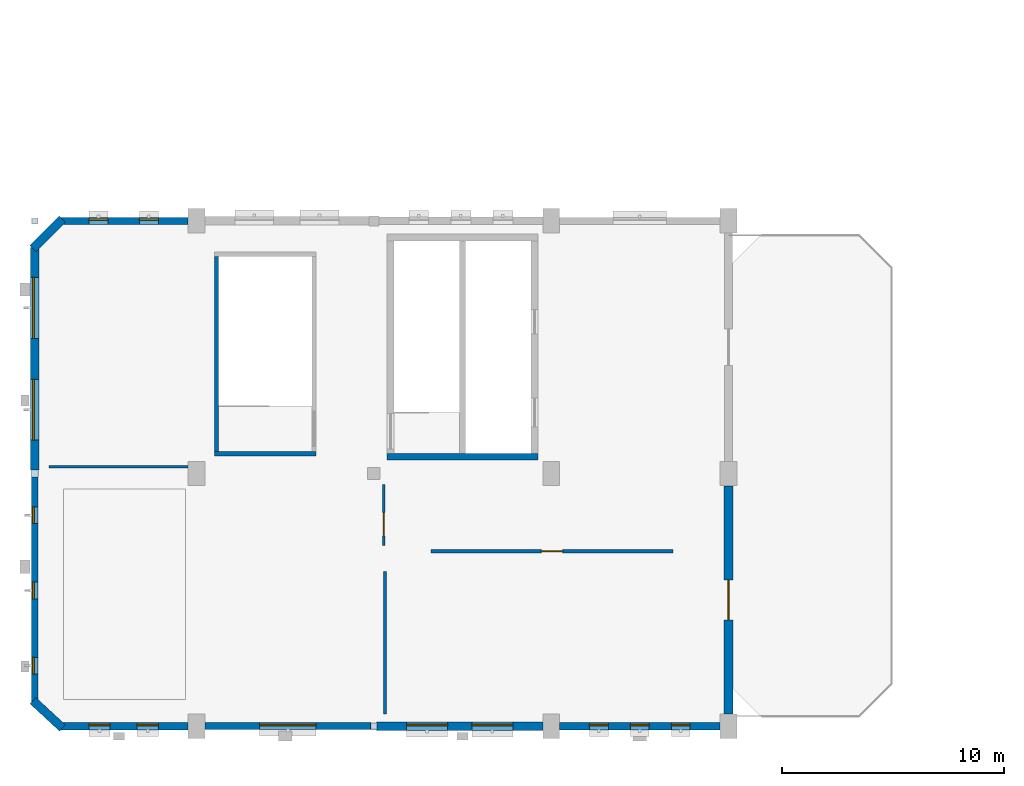
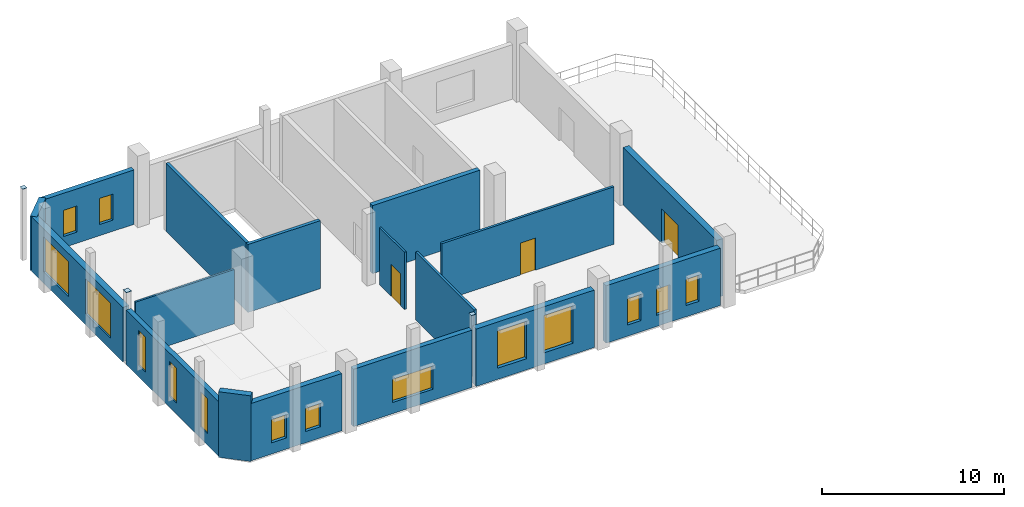
# One storey, part 23 of 28: 17 walls, 15 windows, 3 doors, 3 plates, 18 openings.
"""IFC4 building model written with IfcOpenShell, lengths in metres."""

from ifc_helpers import new_model, si_unit, direction, frame, frame_2d, origin, origin_2d, place, context, subcontext, project, spatial, rectangle, extrude, material, layer, layer_set, type_object, element, fill, save


model = new_model("IFC4")

# Units and contexts
model_context = context("Model", 3, precision=1e-05, world=origin(), true_north=direction((0.0, 1.0)))
body_context = subcontext(model_context, "Body", "Model", "MODEL_VIEW")
ifc_project = project(units=[si_unit("LENGTHUNIT", "METRE"), si_unit("AREAUNIT", "SQUARE_METRE"), si_unit("VOLUMEUNIT", "CUBIC_METRE"), si_unit("PLANEANGLEUNIT", "RADIAN"), si_unit("MASSUNIT", "GRAM", prefix="KILO"), si_unit("POWERUNIT", "WATT"), si_unit("THERMODYNAMICTEMPERATUREUNIT", "KELVIN")], contexts=[model_context])

# Site, building, storey
site_placement = place(None, origin())
site = spatial("IfcSite", under=ifc_project, at=site_placement, CompositionType="ELEMENT")
building_placement = place(site_placement, origin())
building = spatial("IfcBuilding", under=site, at=building_placement, Name="Kelmbourne Parkland Aquatics Centre", CompositionType="ELEMENT")
storey_placement = place(building_placement, frame((0.0, 0.0, 19.199951171875)))
storey = spatial("IfcBuildingStorey", under=building, at=storey_placement, Name="L04", CompositionType="ELEMENT", Elevation=19.199951171875)

# Plates
ifc_material_1 = material(Name="Welded plate steel AS/NZS 3678 Grade 350", Category="steel")
ifc_layer_1 = layer(ifc_material_1, 0.02001953125)
ifc_layer_set_1 = layer_set([ifc_layer_1], Name="Welded plate steel AS/NZS 3678 Grade 350")
plate_type_1 = type_object("IfcPlateType", Name="PL-CAP-20", PredefinedType="USERDEFINED", material=ifc_layer_set_1)
for number, where, z_axis, x_axis, name in (
    (1, (0.699951171875, 23.60009765625, 4.799072265625), (0.0, 0.0, 1.0), (1.0, 0.0, 0.0), "Hollow end cap plate CAP-0002"),
    (2, (16.0, 0.800048828125, 4.799072265625), (0.0, 0.0, 1.0), (1.0, 0.0, 0.0), "Hollow end cap plate CAP-0004"),
):
    element("IfcPlate", number, at=place(storey_placement, frame(where, z_axis=z_axis, x_axis=x_axis)), inside=storey, type_object=plate_type_1, Name=name, ObjectType="END CAP PLATE", PredefinedType="USERDEFINED", context=body_context, shape_type="SweptSolid", body=[
        extrude(rectangle(XDim=0.280029296875, YDim=0.280029296875, at=origin_2d()), origin(), (0.0, 0.0, 1.0), 0.02001953125),
    ])
ifc_layer_2 = layer(ifc_material_1, 0.02392578125)
ifc_layer_set_2 = layer_set([ifc_layer_2], Name="Welded plate steel AS/NZS 3678 Grade 350")
plate_type_2 = type_object("IfcPlateType", Name="PL-CAP-24", PredefinedType="USERDEFINED", material=ifc_layer_set_2)
plate_placement = place(storey_placement, frame((0.699951171875, 12.199951171875, 4.799072265625), z_axis=(0.0, 0.0, 1.0), x_axis=(1.0, 0.0, 0.0)))
element("IfcPlate", 3, at=plate_placement, inside=storey, type_object=plate_type_2, Name="Hollow end cap plate CAP-0001", ObjectType="END CAP PLATE", PredefinedType="USERDEFINED", context=body_context, shape_type="SweptSolid", body=[
    extrude(rectangle(XDim=0.330078125, YDim=0.330078125, at=origin_2d()), origin(), (0.0, 0.0, 1.0), 0.02392578125),
])

# Wall
ifc_material_2 = material(Name="Concrete C40/50", Category="concrete")
ifc_layer_3 = layer(ifc_material_2, 0.300048828125)
ifc_layer_set_3 = layer_set([ifc_layer_3], Name="Concrete C40/50")
wall_type_1 = type_object("IfcWallType", Name="W-CORE-300", PredefinedType="SHEAR", material=ifc_layer_set_3)
wall_1_placement = place(storey_placement, frame((16.60009765625, 12.949951171875, 0.0), z_axis=(0.0, 0.0, 1.0), x_axis=(1.0, 0.0, 0.0)))
element("IfcWall", 4, at=wall_1_placement, inside=storey, type_object=wall_type_1, Name="West Wing South Fire-Fighting Core south wall (L04)", PredefinedType="SHEAR", context=body_context, shape_type="SweptSolid", body=[
    extrude(rectangle(XDim=6.7998046875, YDim=0.300048828125, at=frame_2d((3.39990234375, 0.0))), origin(), (0.0, 0.0, 1.0), 4.56005859375),
])

# Wall, openings, windows
ifc_material_3 = material(Name="Russet clinker clay brickwork", Category="masonry")
ifc_layer_4 = layer(ifc_material_3, 0.31005859375)
ifc_layer_set_4 = layer_set([ifc_layer_4], Name="Russet clinker clay brickwork")
wall_type_2 = type_object("IfcWallType", Name="W-EXT-310", PredefinedType="STANDARD", material=ifc_layer_set_4)
wall_2_placement = place(storey_placement, frame((0.699951171875, 1.800048828125, 0.0), z_axis=(0.0, 0.0, 1.0), x_axis=(0.0, 1.0, 0.0)))
wall_2 = element("IfcWall", 5, at=wall_2_placement, inside=storey, type_object=wall_type_2, Name="Exterior polychrome brick wall EW-L04-137", PredefinedType="STANDARD", context=body_context, shape_type="SweptSolid", body=[
    extrude(rectangle(XDim=10.248046875, YDim=0.31005859375, at=frame_2d((5.1240234375, 0.0))), origin(), (0.0, 0.0, 1.0), 3.64501953125),
])
opening_1_placement = place(wall_2_placement, frame((1.35009765625, 0.0, 0.75)))
opening_1 = element("IfcOpeningElement", 6, at=opening_1_placement, cuts=wall_2, Name="Opening W16", PredefinedType="OPENING", context=body_context, shape_type="SweptSolid", body=[
    extrude(rectangle(XDim=0.75, YDim=2.35009765625, at=frame_2d((0.375, 1.175048828125))), frame((0.0, 0.1669921875, 0.0), z_axis=(0.0, -1.0, 0.0), x_axis=(1.0, 0.0, 0.0)), (0.0, 0.0, 1.0), 0.333984375),
])
opening_2_placement = place(wall_2_placement, frame((4.7490234375, 0.0, 0.75)))
opening_2 = element("IfcOpeningElement", 7, at=opening_2_placement, cuts=wall_2, Name="Opening W16", PredefinedType="OPENING", context=body_context, shape_type="SweptSolid", body=[
    extrude(rectangle(XDim=0.75, YDim=2.35009765625, at=frame_2d((0.375, 1.175048828125))), frame((0.0, 0.1669921875, 0.0), z_axis=(0.0, -1.0, 0.0), x_axis=(1.0, 0.0, 0.0)), (0.0, 0.0, 1.0), 0.333984375),
])
opening_3_placement = place(wall_2_placement, frame((8.14794921875, 0.0, 0.75)))
opening_3 = element("IfcOpeningElement", 8, at=opening_3_placement, cuts=wall_2, Name="Opening W16", PredefinedType="OPENING", context=body_context, shape_type="SweptSolid", body=[
    extrude(rectangle(XDim=0.75, YDim=2.35009765625, at=frame_2d((0.375, 1.175048828125))), frame((0.0, 0.1669921875, 0.0), z_axis=(0.0, -1.0, 0.0), x_axis=(1.0, 0.0, 0.0)), (0.0, 0.0, 1.0), 0.333984375),
])
ifc_material_4 = material(Name="Thermally broken anodised aluminium window with low-e glass", Category="aluminium")
ifc_layer_5 = layer(ifc_material_4, 0.090087890625)
ifc_layer_set_5 = layer_set([ifc_layer_5], Name="Thermally broken anodised aluminium window with low-e glass")
window_type_1 = type_object("IfcWindowType", Name="WN-16", PartitioningType="SINGLE_PANEL", PredefinedType="WINDOW", material=ifc_layer_set_5)
window_1_placement = place(opening_1_placement, origin())
window_1 = element("IfcWindow", 9, at=window_1_placement, inside=storey, type_object=window_type_1, Name="Deep-reveal masonry window W16", OverallHeight=2.35009765625, OverallWidth=0.75, PartitioningType="SINGLE_PANEL", PredefinedType="WINDOW", context=body_context, shape_type="SweptSolid", body=[
    extrude(rectangle(XDim=0.75, YDim=2.35009765625, at=frame_2d((0.375, 1.175048828125))), frame((0.0, 0.080078125, 0.0), z_axis=(0.0, -1.0, 0.0), x_axis=(1.0, 0.0, 0.0)), (0.0, 0.0, 1.0), 0.06005859375),
])
fill(opening_1, window_1)
window_2_placement = place(opening_2_placement, origin())
window_2 = element("IfcWindow", 10, at=window_2_placement, inside=storey, type_object=window_type_1, Name="Deep-reveal masonry window W16", OverallHeight=2.35009765625, OverallWidth=0.75, PartitioningType="SINGLE_PANEL", PredefinedType="WINDOW", context=body_context, shape_type="SweptSolid", body=[
    extrude(rectangle(XDim=0.75, YDim=2.35009765625, at=frame_2d((0.375, 1.175048828125))), frame((0.0, 0.080078125, 0.0), z_axis=(0.0, -1.0, 0.0), x_axis=(1.0, 0.0, 0.0)), (0.0, 0.0, 1.0), 0.06005859375),
])
fill(opening_2, window_2)
window_3_placement = place(opening_3_placement, origin())
window_3 = element("IfcWindow", 11, at=window_3_placement, inside=storey, type_object=window_type_1, Name="Deep-reveal masonry window W16", OverallHeight=2.35009765625, OverallWidth=0.75, PartitioningType="SINGLE_PANEL", PredefinedType="WINDOW", context=body_context, shape_type="SweptSolid", body=[
    extrude(rectangle(XDim=0.75, YDim=2.35009765625, at=frame_2d((0.375, 1.175048828125))), frame((0.0, 0.080078125, 0.0), z_axis=(0.0, -1.0, 0.0), x_axis=(1.0, 0.0, 0.0)), (0.0, 0.0, 1.0), 0.06005859375),
])
fill(opening_3, window_3)

# Wall, opening, window
wall_3_placement = place(storey_placement, frame((8.376953125, 0.800048828125, 0.0), z_axis=(0.0, 0.0, 1.0), x_axis=(1.0, 0.0, 0.0)))
wall_3 = element("IfcWall", 12, at=wall_3_placement, inside=storey, type_object=wall_type_2, Name="Exterior polychrome brick wall EW-L04-140", PredefinedType="STANDARD", context=body_context, shape_type="SweptSolid", body=[
    extrude(rectangle(XDim=7.49609375, YDim=0.31005859375, at=frame_2d((3.748046875, 0.0))), origin(), (0.0, 0.0, 1.0), 3.844970703125),
])
opening_4_placement = place(wall_3_placement, frame((2.472900390625, 0.0, 0.75)))
opening_4 = element("IfcOpeningElement", 13, at=opening_4_placement, cuts=wall_3, Name="Opening W24", PredefinedType="OPENING", context=body_context, shape_type="SweptSolid", body=[
    extrude(rectangle(XDim=2.550048828125, YDim=1.550048828125, at=frame_2d((1.27490234375, 0.77490234375))), frame((0.0, 0.1669921875, 0.0), z_axis=(0.0, -1.0, 0.0), x_axis=(1.0, 0.0, 0.0)), (0.0, 0.0, 1.0), 0.333984375),
])
ifc_layer_6 = layer(ifc_material_4, 0.090087890625)
ifc_layer_set_6 = layer_set([ifc_layer_6], Name="Thermally broken anodised aluminium window with low-e glass")
window_type_2 = type_object("IfcWindowType", Name="WN-24", PartitioningType="TRIPLE_PANEL_VERTICAL", PredefinedType="WINDOW", material=ifc_layer_set_6)
window_4_placement = place(opening_4_placement, origin())
window_4 = element("IfcWindow", 14, at=window_4_placement, inside=storey, type_object=window_type_2, Name="Deep-reveal masonry window W24", OverallHeight=1.550048828125, OverallWidth=2.550048828125, PartitioningType="TRIPLE_PANEL_VERTICAL", PredefinedType="WINDOW", context=body_context, shape_type="SweptSolid", body=[
    extrude(rectangle(XDim=2.550048828125, YDim=1.550048828125, at=frame_2d((1.27490234375, 0.77490234375))), frame((0.0, 0.080078125, 0.0), z_axis=(0.0, -1.0, 0.0), x_axis=(1.0, 0.0, 0.0)), (0.0, 0.0, 1.0), 0.06005859375),
])
fill(opening_4, window_4)

# Wall, openings, windows
wall_4_placement = place(storey_placement, frame((1.800048828125, 23.60009765625, 0.0), z_axis=(0.0, 0.0, 1.0), x_axis=(1.0, 0.0, 0.0)))
wall_4 = element("IfcWall", 15, at=wall_4_placement, inside=storey, type_object=wall_type_2, Name="Exterior polychrome brick wall EW-L04-143", PredefinedType="STANDARD", context=body_context, shape_type="SweptSolid", body=[
    extrude(rectangle(XDim=5.822998046875, YDim=0.31005859375, at=frame_2d((2.91162109375, 0.0))), origin(), (0.0, 0.0, 1.0), 3.64501953125),
])
opening_5_placement = place(wall_4_placement, frame((1.35009765625, 0.0, 0.75)))
opening_5 = element("IfcOpeningElement", 16, at=opening_5_placement, cuts=wall_4, Name="Opening W01", PredefinedType="OPENING", context=body_context, shape_type="SweptSolid", body=[
    extrude(rectangle(XDim=0.85009765625, YDim=1.75, at=frame_2d((0.425048828125, 0.875))), frame((0.0, 0.1669921875, 0.0), z_axis=(0.0, -1.0, 0.0), x_axis=(1.0, 0.0, 0.0)), (0.0, 0.0, 1.0), 0.333984375),
])
opening_6_placement = place(wall_4_placement, frame((3.623046875, 0.0, 0.75)))
opening_6 = element("IfcOpeningElement", 17, at=opening_6_placement, cuts=wall_4, Name="Opening W01", PredefinedType="OPENING", context=body_context, shape_type="SweptSolid", body=[
    extrude(rectangle(XDim=0.85009765625, YDim=1.75, at=frame_2d((0.425048828125, 0.875))), frame((0.0, 0.1669921875, 0.0), z_axis=(0.0, -1.0, 0.0), x_axis=(1.0, 0.0, 0.0)), (0.0, 0.0, 1.0), 0.333984375),
])
ifc_layer_7 = layer(ifc_material_4, 0.090087890625)
ifc_layer_set_7 = layer_set([ifc_layer_7], Name="Thermally broken anodised aluminium window with low-e glass")
window_type_3 = type_object("IfcWindowType", Name="WN-01", PartitioningType="SINGLE_PANEL", PredefinedType="WINDOW", material=ifc_layer_set_7)
window_5_placement = place(opening_5_placement, origin())
window_5 = element("IfcWindow", 18, at=window_5_placement, inside=storey, type_object=window_type_3, Name="Deep-reveal masonry window W01", OverallHeight=1.75, OverallWidth=0.85009765625, PartitioningType="SINGLE_PANEL", PredefinedType="WINDOW", context=body_context, shape_type="SweptSolid", body=[
    extrude(rectangle(XDim=0.85009765625, YDim=1.75, at=frame_2d((0.425048828125, 0.875))), frame((0.0, 0.080078125, 0.0), z_axis=(0.0, -1.0, 0.0), x_axis=(1.0, 0.0, 0.0)), (0.0, 0.0, 1.0), 0.06005859375),
])
fill(opening_5, window_5)
window_6_placement = place(opening_6_placement, origin())
window_6 = element("IfcWindow", 19, at=window_6_placement, inside=storey, type_object=window_type_3, Name="Deep-reveal masonry window W01", OverallHeight=1.75, OverallWidth=0.85009765625, PartitioningType="SINGLE_PANEL", PredefinedType="WINDOW", context=body_context, shape_type="SweptSolid", body=[
    extrude(rectangle(XDim=0.85009765625, YDim=1.75, at=frame_2d((0.425048828125, 0.875))), frame((0.0, 0.080078125, 0.0), z_axis=(0.0, -1.0, 0.0), x_axis=(1.0, 0.0, 0.0)), (0.0, 0.0, 1.0), 0.06005859375),
])
fill(opening_6, window_6)

ifc_material_5 = material(Name="Polychrome glazed brick header coursework", Category="masonry")
ifc_layer_8 = layer(ifc_material_5, 0.35009765625)
ifc_layer_set_8 = layer_set([ifc_layer_8], Name="Polychrome glazed brick header coursework")
wall_type_3 = type_object("IfcWallType", Name="W-EXT-350", PredefinedType="STANDARD", material=ifc_layer_set_8)
wall_5_placement = place(storey_placement, frame((1.800048828125, 0.800048828125, 0.0), z_axis=(0.0, 0.0, 1.0), x_axis=(1.0, 0.0, 0.0)))
wall_5 = element("IfcWall", 20, at=wall_5_placement, inside=storey, type_object=wall_type_3, Name="Exterior polychrome brick wall EW-L04-139", PredefinedType="STANDARD", context=body_context, shape_type="SweptSolid", body=[
    extrude(rectangle(XDim=5.822998046875, YDim=0.35009765625, at=frame_2d((2.91162109375, 0.0))), origin(), (0.0, 0.0, 1.0), 3.844970703125),
])
opening_7_placement = place(wall_5_placement, frame((1.35009765625, 0.0, 0.75)))
opening_7 = element("IfcOpeningElement", 21, at=opening_7_placement, cuts=wall_5, Name="Opening W21", PredefinedType="OPENING", context=body_context, shape_type="SweptSolid", body=[
    extrude(rectangle(XDim=0.949951171875, YDim=1.550048828125, at=frame_2d((0.47509765625, 0.77490234375))), frame((0.0, 0.18701171875, 0.0), z_axis=(0.0, -1.0, 0.0), x_axis=(1.0, 0.0, 0.0)), (0.0, 0.0, 1.0), 0.3740234375),
])
opening_8_placement = place(wall_5_placement, frame((3.52294921875, 0.0, 0.75)))
opening_8 = element("IfcOpeningElement", 22, at=opening_8_placement, cuts=wall_5, Name="Opening W21", PredefinedType="OPENING", context=body_context, shape_type="SweptSolid", body=[
    extrude(rectangle(XDim=0.949951171875, YDim=1.550048828125, at=frame_2d((0.47509765625, 0.77490234375))), frame((0.0, 0.18701171875, 0.0), z_axis=(0.0, -1.0, 0.0), x_axis=(1.0, 0.0, 0.0)), (0.0, 0.0, 1.0), 0.3740234375),
])
ifc_layer_9 = layer(ifc_material_4, 0.090087890625)
ifc_layer_set_9 = layer_set([ifc_layer_9], Name="Thermally broken anodised aluminium window with low-e glass")
window_type_4 = type_object("IfcWindowType", Name="WN-21", PartitioningType="SINGLE_PANEL", PredefinedType="WINDOW", material=ifc_layer_set_9)
window_7_placement = place(opening_7_placement, origin())
window_7 = element("IfcWindow", 23, at=window_7_placement, inside=storey, type_object=window_type_4, Name="Deep-reveal masonry window W21", OverallHeight=1.550048828125, OverallWidth=0.949951171875, PartitioningType="SINGLE_PANEL", PredefinedType="WINDOW", context=body_context, shape_type="SweptSolid", body=[
    extrude(rectangle(XDim=0.949951171875, YDim=1.550048828125, at=frame_2d((0.47509765625, 0.77490234375))), frame((0.0, 0.080078125, 0.0), z_axis=(0.0, -1.0, 0.0), x_axis=(1.0, 0.0, 0.0)), (0.0, 0.0, 1.0), 0.06005859375),
])
fill(opening_7, window_7)
window_8_placement = place(opening_8_placement, origin())
window_8 = element("IfcWindow", 24, at=window_8_placement, inside=storey, type_object=window_type_4, Name="Deep-reveal masonry window W21", OverallHeight=1.550048828125, OverallWidth=0.949951171875, PartitioningType="SINGLE_PANEL", PredefinedType="WINDOW", context=body_context, shape_type="SweptSolid", body=[
    extrude(rectangle(XDim=0.949951171875, YDim=1.550048828125, at=frame_2d((0.47509765625, 0.77490234375))), frame((0.0, 0.080078125, 0.0), z_axis=(0.0, -1.0, 0.0), x_axis=(1.0, 0.0, 0.0)), (0.0, 0.0, 1.0), 0.06005859375),
])
fill(opening_8, window_8)

wall_6_placement = place(storey_placement, frame((24.376953125, 0.800048828125, 0.0), z_axis=(0.0, 0.0, 1.0), x_axis=(1.0, 0.0, 0.0)))
wall_6 = element("IfcWall", 25, at=wall_6_placement, inside=storey, type_object=wall_type_3, Name="Exterior polychrome brick wall EW-L04-142", PredefinedType="STANDARD", context=body_context, shape_type="SweptSolid", body=[
    extrude(rectangle(XDim=7.24609375, YDim=0.35009765625, at=frame_2d((3.623046875, 0.0))), origin(), (0.0, 0.0, 1.0), 3.844970703125),
])
opening_9_placement = place(wall_6_placement, frame((1.35009765625, 0.0, 0.75)))
opening_9 = element("IfcOpeningElement", 26, at=opening_9_placement, cuts=wall_6, Name="Opening W01", PredefinedType="OPENING", context=body_context, shape_type="SweptSolid", body=[
    extrude(rectangle(XDim=0.85009765625, YDim=1.75, at=frame_2d((0.425048828125, 0.875))), frame((0.0, 0.18701171875, 0.0), z_axis=(0.0, -1.0, 0.0), x_axis=(1.0, 0.0, 0.0)), (0.0, 0.0, 1.0), 0.3740234375),
])
opening_10_placement = place(wall_6_placement, frame((3.197998046875, 0.0, 0.75)))
opening_10 = element("IfcOpeningElement", 27, at=opening_10_placement, cuts=wall_6, Name="Opening W01", PredefinedType="OPENING", context=body_context, shape_type="SweptSolid", body=[
    extrude(rectangle(XDim=0.85009765625, YDim=1.75, at=frame_2d((0.425048828125, 0.875))), frame((0.0, 0.18701171875, 0.0), z_axis=(0.0, -1.0, 0.0), x_axis=(1.0, 0.0, 0.0)), (0.0, 0.0, 1.0), 0.3740234375),
])
opening_11_placement = place(wall_6_placement, frame((5.0458984375, 0.0, 0.75)))
opening_11 = element("IfcOpeningElement", 28, at=opening_11_placement, cuts=wall_6, Name="Opening W01", PredefinedType="OPENING", context=body_context, shape_type="SweptSolid", body=[
    extrude(rectangle(XDim=0.85009765625, YDim=1.75, at=frame_2d((0.425048828125, 0.875))), frame((0.0, 0.18701171875, 0.0), z_axis=(0.0, -1.0, 0.0), x_axis=(1.0, 0.0, 0.0)), (0.0, 0.0, 1.0), 0.3740234375),
])
window_9_placement = place(opening_9_placement, origin())
window_9 = element("IfcWindow", 29, at=window_9_placement, inside=storey, type_object=window_type_3, Name="Deep-reveal masonry window W01", OverallHeight=1.75, OverallWidth=0.85009765625, PartitioningType="SINGLE_PANEL", PredefinedType="WINDOW", context=body_context, shape_type="SweptSolid", body=[
    extrude(rectangle(XDim=0.85009765625, YDim=1.75, at=frame_2d((0.425048828125, 0.875))), frame((0.0, 0.080078125, 0.0), z_axis=(0.0, -1.0, 0.0), x_axis=(1.0, 0.0, 0.0)), (0.0, 0.0, 1.0), 0.06005859375),
])
fill(opening_9, window_9)
window_10_placement = place(opening_10_placement, origin())
window_10 = element("IfcWindow", 30, at=window_10_placement, inside=storey, type_object=window_type_3, Name="Deep-reveal masonry window W01", OverallHeight=1.75, OverallWidth=0.85009765625, PartitioningType="SINGLE_PANEL", PredefinedType="WINDOW", context=body_context, shape_type="SweptSolid", body=[
    extrude(rectangle(XDim=0.85009765625, YDim=1.75, at=frame_2d((0.425048828125, 0.875))), frame((0.0, 0.080078125, 0.0), z_axis=(0.0, -1.0, 0.0), x_axis=(1.0, 0.0, 0.0)), (0.0, 0.0, 1.0), 0.06005859375),
])
fill(opening_10, window_10)
window_11_placement = place(opening_11_placement, origin())
window_11 = element("IfcWindow", 31, at=window_11_placement, inside=storey, type_object=window_type_3, Name="Deep-reveal masonry window W01", OverallHeight=1.75, OverallWidth=0.85009765625, PartitioningType="SINGLE_PANEL", PredefinedType="WINDOW", context=body_context, shape_type="SweptSolid", body=[
    extrude(rectangle(XDim=0.85009765625, YDim=1.75, at=frame_2d((0.425048828125, 0.875))), frame((0.0, 0.080078125, 0.0), z_axis=(0.0, -1.0, 0.0), x_axis=(1.0, 0.0, 0.0)), (0.0, 0.0, 1.0), 0.06005859375),
])
fill(opening_11, window_11)

ifc_layer_10 = layer(ifc_material_3, 0.389892578125)
ifc_layer_set_10 = layer_set([ifc_layer_10], Name="Russet clinker clay brickwork")
wall_type_4 = type_object("IfcWallType", Name="W-EXT-390", PredefinedType="STANDARD", material=ifc_layer_set_10)
wall_7_placement = place(storey_placement, frame((0.699951171875, 12.35205078125, 0.0), z_axis=(0.0, 0.0, 1.0), x_axis=(0.0, 1.0, 0.0)))
wall_7 = element("IfcWall", 32, at=wall_7_placement, inside=storey, type_object=wall_type_4, Name="Exterior polychrome brick wall EW-L04-138", PredefinedType="STANDARD", context=body_context, shape_type="SweptSolid", body=[
    extrude(rectangle(XDim=10.0478515625, YDim=0.389892578125, at=frame_2d((5.02392578125, 0.0))), origin(), (0.0, 0.0, 1.0), 3.64501953125),
])
opening_12_placement = place(wall_7_placement, frame((1.35009765625, 0.0, 0.75)))
opening_12 = element("IfcOpeningElement", 33, at=opening_12_placement, cuts=wall_7, Name="Opening W20", PredefinedType="OPENING", context=body_context, shape_type="SweptSolid", body=[
    extrude(rectangle(XDim=2.75, YDim=2.35009765625, at=frame_2d((1.375, 1.175048828125))), frame((0.0, 0.20703125, 0.0), z_axis=(0.0, -1.0, 0.0), x_axis=(1.0, 0.0, 0.0)), (0.0, 0.0, 1.0), 0.413818359375),
])
opening_13_placement = place(wall_7_placement, frame((5.947998046875, 0.0, 0.75)))
opening_13 = element("IfcOpeningElement", 34, at=opening_13_placement, cuts=wall_7, Name="Opening W20", PredefinedType="OPENING", context=body_context, shape_type="SweptSolid", body=[
    extrude(rectangle(XDim=2.75, YDim=2.35009765625, at=frame_2d((1.375, 1.175048828125))), frame((0.0, 0.20703125, 0.0), z_axis=(0.0, -1.0, 0.0), x_axis=(1.0, 0.0, 0.0)), (0.0, 0.0, 1.0), 0.413818359375),
])
ifc_layer_11 = layer(ifc_material_4, 0.090087890625)
ifc_layer_set_11 = layer_set([ifc_layer_11], Name="Thermally broken anodised aluminium window with low-e glass")
window_type_5 = type_object("IfcWindowType", Name="WN-20", PartitioningType="TRIPLE_PANEL_VERTICAL", PredefinedType="WINDOW", material=ifc_layer_set_11)
window_12_placement = place(opening_12_placement, origin())
window_12 = element("IfcWindow", 35, at=window_12_placement, inside=storey, type_object=window_type_5, Name="Deep-reveal masonry window W20", OverallHeight=2.35009765625, OverallWidth=2.75, PartitioningType="TRIPLE_PANEL_VERTICAL", PredefinedType="WINDOW", context=body_context, shape_type="SweptSolid", body=[
    extrude(rectangle(XDim=2.75, YDim=2.35009765625, at=frame_2d((1.375, 1.175048828125))), frame((0.0, 0.080078125, 0.0), z_axis=(0.0, -1.0, 0.0), x_axis=(1.0, 0.0, 0.0)), (0.0, 0.0, 1.0), 0.06005859375),
])
fill(opening_12, window_12)
window_13_placement = place(opening_13_placement, origin())
window_13 = element("IfcWindow", 36, at=window_13_placement, inside=storey, type_object=window_type_5, Name="Deep-reveal masonry window W20", OverallHeight=2.35009765625, OverallWidth=2.75, PartitioningType="TRIPLE_PANEL_VERTICAL", PredefinedType="WINDOW", context=body_context, shape_type="SweptSolid", body=[
    extrude(rectangle(XDim=2.75, YDim=2.35009765625, at=frame_2d((1.375, 1.175048828125))), frame((0.0, 0.080078125, 0.0), z_axis=(0.0, -1.0, 0.0), x_axis=(1.0, 0.0, 0.0)), (0.0, 0.0, 1.0), 0.06005859375),
])
fill(opening_13, window_13)

wall_8_placement = place(storey_placement, frame((16.126953125, 0.800048828125, 0.0), z_axis=(0.0, 0.0, 1.0), x_axis=(1.0, 0.0, 0.0)))
wall_8 = element("IfcWall", 37, at=wall_8_placement, inside=storey, type_object=wall_type_4, Name="Exterior polychrome brick wall EW-L04-141", PredefinedType="STANDARD", context=body_context, shape_type="SweptSolid", body=[
    extrude(rectangle(XDim=7.49609375, YDim=0.389892578125, at=frame_2d((3.748046875, 0.0))), origin(), (0.0, 0.0, 1.0), 3.844970703125),
])
opening_14_placement = place(wall_8_placement, frame((1.35009765625, 0.0, 0.75)))
opening_14 = element("IfcOpeningElement", 38, at=opening_14_placement, cuts=wall_8, Name="Opening W26", PredefinedType="OPENING", context=body_context, shape_type="SweptSolid", body=[
    extrude(rectangle(XDim=1.85009765625, YDim=2.5, at=frame_2d((0.925048828125, 1.25))), frame((0.0, 0.20703125, 0.0), z_axis=(0.0, -1.0, 0.0), x_axis=(1.0, 0.0, 0.0)), (0.0, 0.0, 1.0), 0.413818359375),
])
opening_15_placement = place(wall_8_placement, frame((4.2958984375, 0.0, 0.75)))
opening_15 = element("IfcOpeningElement", 39, at=opening_15_placement, cuts=wall_8, Name="Opening W26", PredefinedType="OPENING", context=body_context, shape_type="SweptSolid", body=[
    extrude(rectangle(XDim=1.85009765625, YDim=2.5, at=frame_2d((0.925048828125, 1.25))), frame((0.0, 0.20703125, 0.0), z_axis=(0.0, -1.0, 0.0), x_axis=(1.0, 0.0, 0.0)), (0.0, 0.0, 1.0), 0.413818359375),
])
ifc_layer_12 = layer(ifc_material_4, 0.090087890625)
ifc_layer_set_12 = layer_set([ifc_layer_12], Name="Thermally broken anodised aluminium window with low-e glass")
window_type_6 = type_object("IfcWindowType", Name="WN-26", PartitioningType="DOUBLE_PANEL_VERTICAL", PredefinedType="WINDOW", material=ifc_layer_set_12)
window_14_placement = place(opening_14_placement, origin())
window_14 = element("IfcWindow", 40, at=window_14_placement, inside=storey, type_object=window_type_6, Name="Deep-reveal masonry window W26", OverallHeight=2.5, OverallWidth=1.85009765625, PartitioningType="DOUBLE_PANEL_VERTICAL", PredefinedType="WINDOW", context=body_context, shape_type="SweptSolid", body=[
    extrude(rectangle(XDim=1.85009765625, YDim=2.5, at=frame_2d((0.925048828125, 1.25))), frame((0.0, 0.080078125, 0.0), z_axis=(0.0, -1.0, 0.0), x_axis=(1.0, 0.0, 0.0)), (0.0, 0.0, 1.0), 0.06005859375),
])
fill(opening_14, window_14)
window_15_placement = place(opening_15_placement, origin())
window_15 = element("IfcWindow", 41, at=window_15_placement, inside=storey, type_object=window_type_6, Name="Deep-reveal masonry window W26", OverallHeight=2.5, OverallWidth=1.85009765625, PartitioningType="DOUBLE_PANEL_VERTICAL", PredefinedType="WINDOW", context=body_context, shape_type="SweptSolid", body=[
    extrude(rectangle(XDim=1.85009765625, YDim=2.5, at=frame_2d((0.925048828125, 1.25))), frame((0.0, 0.080078125, 0.0), z_axis=(0.0, -1.0, 0.0), x_axis=(1.0, 0.0, 0.0)), (0.0, 0.0, 1.0), 0.06005859375),
])
fill(opening_15, window_15)

# Wall, opening, door
wall_9_placement = place(storey_placement, frame((32.0, 1.35205078125, 0.0), z_axis=(0.0, 0.0, 1.0), x_axis=(0.0, 1.0, 0.0)))
wall_9 = element("IfcWall", 42, at=wall_9_placement, inside=storey, type_object=wall_type_4, Name="Exterior polychrome brick wall EW-L04-147", PredefinedType="STANDARD", context=body_context, shape_type="SweptSolid", body=[
    extrude(rectangle(XDim=10.2958984375, YDim=0.389892578125, at=frame_2d((5.14794921875, 0.0))), origin(), (0.0, 0.0, 1.0), 3.844970703125),
])
opening_16_placement = place(wall_9_placement, frame((4.248046875, 0.0, 0.0)))
opening_16 = element("IfcOpeningElement", 43, at=opening_16_placement, cuts=wall_9, Name="Opening TRD1", PredefinedType="OPENING", context=body_context, shape_type="SweptSolid", body=[
    extrude(rectangle(XDim=1.800048828125, YDim=2.300048828125, at=frame_2d((0.89990234375, 1.14990234375))), frame((0.0, 0.20703125, 0.0), z_axis=(0.0, -1.0, 0.0), x_axis=(1.0, 0.0, 0.0)), (0.0, 0.0, 1.0), 0.413818359375),
])
ifc_material_6 = material(Name="Thermally broken anodised aluminium commercial door", Category="aluminium")
ifc_layer_13 = layer(ifc_material_6, 0.06005859375)
ifc_layer_set_13 = layer_set([ifc_layer_13], Name="Thermally broken anodised aluminium commercial door")
door_type_1 = type_object("IfcDoorType", Name="DR-TER-180", OperationType="NOTDEFINED", PredefinedType="DOOR", material=ifc_layer_set_13)
door_1_placement = place(opening_16_placement, frame((1.800048828125, 0.0, 0.0), z_axis=(0.0, 0.0, 1.0), x_axis=(-1.0, 0.0, 0.0)))
door_1 = element("IfcDoor", 44, at=door_1_placement, inside=storey, type_object=door_type_1, Name="Walkable terrace access door EW-L04-147", OperationType="DOUBLE_DOOR_SINGLE_SWING", OverallHeight=2.300048828125, OverallWidth=1.800048828125, PredefinedType="DOOR", context=body_context, shape_type="SweptSolid", body=[
    extrude(rectangle(XDim=1.800048828125, YDim=2.300048828125, at=frame_2d((0.89990234375, 1.14990234375))), frame((0.0, 0.02490234375, 0.0), z_axis=(0.0, -1.0, 0.0), x_axis=(1.0, 0.0, 0.0)), (0.0, 0.0, 1.0), 0.050048828125),
])
fill(opening_16, door_1)

# Walls
wall_10_placement = place(storey_placement, frame((0.6201171875, 1.949951171875, 0.0), z_axis=(0.0, 0.0, 1.0), x_axis=(0.734131351327, -0.679007480812, 0.0)))
element("IfcWall", 45, at=wall_10_placement, inside=storey, type_object=wall_type_4, Name="Stepped brick corner bevel CHAM-L04-SW", PredefinedType="STANDARD", context=body_context, shape_type="SweptSolid", body=[
    extrude(rectangle(XDim=1.8115234375, YDim=0.389892578125, at=frame_2d((0.90576171875, 0.0))), origin(), (0.0, 0.0, 1.0), 4.400146484375),
])
wall_11_placement = place(storey_placement, frame((0.6201171875, 22.35009765625, 0.0), z_axis=(0.0, 0.0, 1.0), x_axis=(0.707106781187, 0.707106781187, 0.0)))
element("IfcWall", 46, at=wall_11_placement, inside=storey, type_object=wall_type_4, Name="Stepped brick corner bevel CHAM-L04-NW", PredefinedType="STANDARD", context=body_context, shape_type="SweptSolid", body=[
    extrude(rectangle(XDim=1.880615234375, YDim=0.389892578125, at=frame_2d((0.9404296875, 0.0))), origin(), (0.0, 0.0, 1.0), 3.64501953125),
])
ifc_material_7 = material(Name="Concrete blockwork C32/40", Category="masonry")
ifc_layer_14 = layer(ifc_material_7, 0.199951171875)
ifc_layer_set_14 = layer_set([ifc_layer_14], Name="Concrete blockwork C32/40")
wall_type_5 = type_object("IfcWallType", Name="W-FIRE-200", PredefinedType="SOLIDWALL", material=ifc_layer_set_14)
wall_12_placement = place(storey_placement, frame((8.800048828125, 13.10009765625, 0.0), z_axis=(0.0, 0.0, 1.0), x_axis=(1.0, 0.0, 0.0)))
element("IfcWall", 47, at=wall_12_placement, inside=storey, type_object=wall_type_5, Name="West South Perimeter Exit Stair south enclosure (L04)", PredefinedType="SOLIDWALL", context=body_context, shape_type="SweptSolid", body=[
    extrude(rectangle(XDim=4.599853515625, YDim=0.199951171875, at=frame_2d((2.2998046875, 0.0))), origin(), (0.0, 0.0, 1.0), 4.56005859375),
])
wall_13_placement = place(storey_placement, frame((8.89990234375, 13.199951171875, 0.0), z_axis=(0.0, 0.0, 1.0), x_axis=(0.0, 1.0, 0.0)))
element("IfcWall", 48, at=wall_13_placement, inside=storey, type_object=wall_type_5, Name="West South Perimeter Exit Stair west enclosure (L04)", PredefinedType="SOLIDWALL", context=body_context, shape_type="SweptSolid", body=[
    extrude(rectangle(XDim=8.800048828125, YDim=0.199951171875, at=frame_2d((4.39990234375, 0.0))), origin(), (0.0, 0.0, 1.0), 4.56005859375),
])

# Wall, opening, door
ifc_material_8 = material(Name="Moisture-resistant acoustic stud partition", Category="gypsum")
ifc_layer_15 = layer(ifc_material_8, 0.1201171875)
ifc_layer_set_15 = layer_set([ifc_layer_15], Name="Moisture-resistant acoustic stud partition")
wall_type_6 = type_object("IfcWallType", Name="W-PART-120", PredefinedType="PARTITIONING", material=ifc_layer_set_15)
wall_14_placement = place(storey_placement, frame((16.449951171875, 8.949951171875, 0.0), z_axis=(0.0, 0.0, 1.0), x_axis=(0.0, 1.0, 0.0)))
wall_14 = element("IfcWall", 49, at=wall_14_placement, inside=storey, type_object=wall_type_6, Name="Interior partition PT-L04-093", PredefinedType="PARTITIONING", context=body_context, shape_type="SweptSolid", body=[
    extrude(rectangle(XDim=2.75, YDim=0.1201171875, at=frame_2d((1.375, 0.0))), origin(), (0.0, 0.0, 1.0), 3.844970703125),
])
opening_17_placement = place(wall_14_placement, frame((0.4375, 0.0, 0.0)))
opening_17 = element("IfcOpeningElement", 50, at=opening_17_placement, cuts=wall_14, Name="Opening ID04", PredefinedType="OPENING", context=body_context, shape_type="SweptSolid", body=[
    extrude(rectangle(XDim=1.050048828125, YDim=2.14990234375, at=frame_2d((0.52490234375, 1.074951171875))), frame((0.0, 0.072021484375, 0.0), z_axis=(0.0, -1.0, 0.0), x_axis=(1.0, 0.0, 0.0)), (0.0, 0.0, 1.0), 0.14404296875),
])
ifc_material_9 = material(Name="Marine-grade stainless steel and solid-core hardwood doorset", Category="timber")
ifc_layer_16 = layer(ifc_material_9, 0.050048828125)
ifc_layer_set_16 = layer_set([ifc_layer_16], Name="Marine-grade stainless steel and solid-core hardwood doorset")
door_type_2 = type_object("IfcDoorType", Name="DR-INT-105", OperationType="NOTDEFINED", PredefinedType="DOOR", material=ifc_layer_set_16)
door_2_placement = place(opening_17_placement, origin())
door_2 = element("IfcDoor", 51, at=door_2_placement, inside=storey, type_object=door_type_2, Name="Interior door ID04 (L04-050)", OperationType="SINGLE_SWING_RIGHT", OverallHeight=2.14990234375, OverallWidth=1.050048828125, PredefinedType="DOOR", context=body_context, shape_type="SweptSolid", body=[
    extrude(rectangle(XDim=1.050048828125, YDim=2.14990234375, at=frame_2d((0.52490234375, 1.074951171875))), frame((0.0, 0.02490234375, 0.0), z_axis=(0.0, -1.0, 0.0), x_axis=(1.0, 0.0, 0.0)), (0.0, 0.0, 1.0), 0.050048828125),
])
fill(opening_17, door_2)

# Wall
wall_15_placement = place(storey_placement, frame((1.35009765625, 12.5, 0.0), z_axis=(0.0, 0.0, 1.0), x_axis=(1.0, 0.0, 0.0)))
element("IfcWall", 52, at=wall_15_placement, inside=storey, type_object=wall_type_6, Name="Interior partition PT-L04-095", PredefinedType="PARTITIONING", context=body_context, shape_type="SweptSolid", body=[
    extrude(rectangle(XDim=6.27294921875, YDim=0.1201171875, at=frame_2d((3.136474609375, 0.0))), origin(), (0.0, 0.0, 1.0), 3.64501953125),
])

# Wall, opening, door
ifc_layer_17 = layer(ifc_material_8, 0.14990234375)
ifc_layer_set_17 = layer_set([ifc_layer_17], Name="Moisture-resistant acoustic stud partition")
wall_type_7 = type_object("IfcWallType", Name="W-PART-150", PredefinedType="PARTITIONING", material=ifc_layer_set_17)
wall_16_placement = place(storey_placement, frame((18.574951171875, 8.699951171875, 0.0), z_axis=(0.0, 0.0, 1.0), x_axis=(1.0, 0.0, 0.0)))
wall_16 = element("IfcWall", 53, at=wall_16_placement, inside=storey, type_object=wall_type_7, Name="Interior partition PT-L04-094", PredefinedType="PARTITIONING", context=body_context, shape_type="SweptSolid", body=[
    extrude(rectangle(XDim=10.925048828125, YDim=0.14990234375, at=frame_2d((5.46240234375, 0.0))), origin(), (0.0, 0.0, 1.0), 3.844970703125),
])
opening_18_placement = place(wall_16_placement, frame((4.987548828125, 0.0, 0.0)))
opening_18 = element("IfcOpeningElement", 54, at=opening_18_placement, cuts=wall_16, Name="Opening ID05", PredefinedType="OPENING", context=body_context, shape_type="SweptSolid", body=[
    extrude(rectangle(XDim=0.949951171875, YDim=2.14990234375, at=frame_2d((0.47509765625, 1.074951171875))), frame((0.0, 0.0869140625, 0.0), z_axis=(0.0, -1.0, 0.0), x_axis=(1.0, 0.0, 0.0)), (0.0, 0.0, 1.0), 0.173828125),
])
ifc_layer_18 = layer(ifc_material_9, 0.050048828125)
ifc_layer_set_18 = layer_set([ifc_layer_18], Name="Marine-grade stainless steel and solid-core hardwood doorset")
door_type_3 = type_object("IfcDoorType", Name="DR-INT-095", OperationType="NOTDEFINED", PredefinedType="DOOR", material=ifc_layer_set_18)
door_3_placement = place(opening_18_placement, origin())
door_3 = element("IfcDoor", 55, at=door_3_placement, inside=storey, type_object=door_type_3, Name="Interior door ID05 (L04-051)", OperationType="SINGLE_SWING_LEFT", OverallHeight=2.14990234375, OverallWidth=0.949951171875, PredefinedType="DOOR", context=body_context, shape_type="SweptSolid", body=[
    extrude(rectangle(XDim=0.949951171875, YDim=2.14990234375, at=frame_2d((0.47509765625, 1.074951171875))), frame((0.0, 0.02490234375, 0.0), z_axis=(0.0, -1.0, 0.0), x_axis=(1.0, 0.0, 0.0)), (0.0, 0.0, 1.0), 0.050048828125),
])
fill(opening_18, door_3)

# Wall
wall_17_placement = place(storey_placement, frame((16.5, 1.35009765625, 0.0), z_axis=(0.0, 0.0, 1.0), x_axis=(0.0, 1.0, 0.0)))
element("IfcWall", 56, at=wall_17_placement, inside=storey, type_object=wall_type_7, Name="Interior partition PT-L04-096", PredefinedType="PARTITIONING", context=body_context, shape_type="SweptSolid", body=[
    extrude(rectangle(XDim=6.4375, YDim=0.14990234375, at=frame_2d((3.21875, 0.0))), origin(), (0.0, 0.0, 1.0), 4.56005859375),
])

save(model, "model.ifc")
